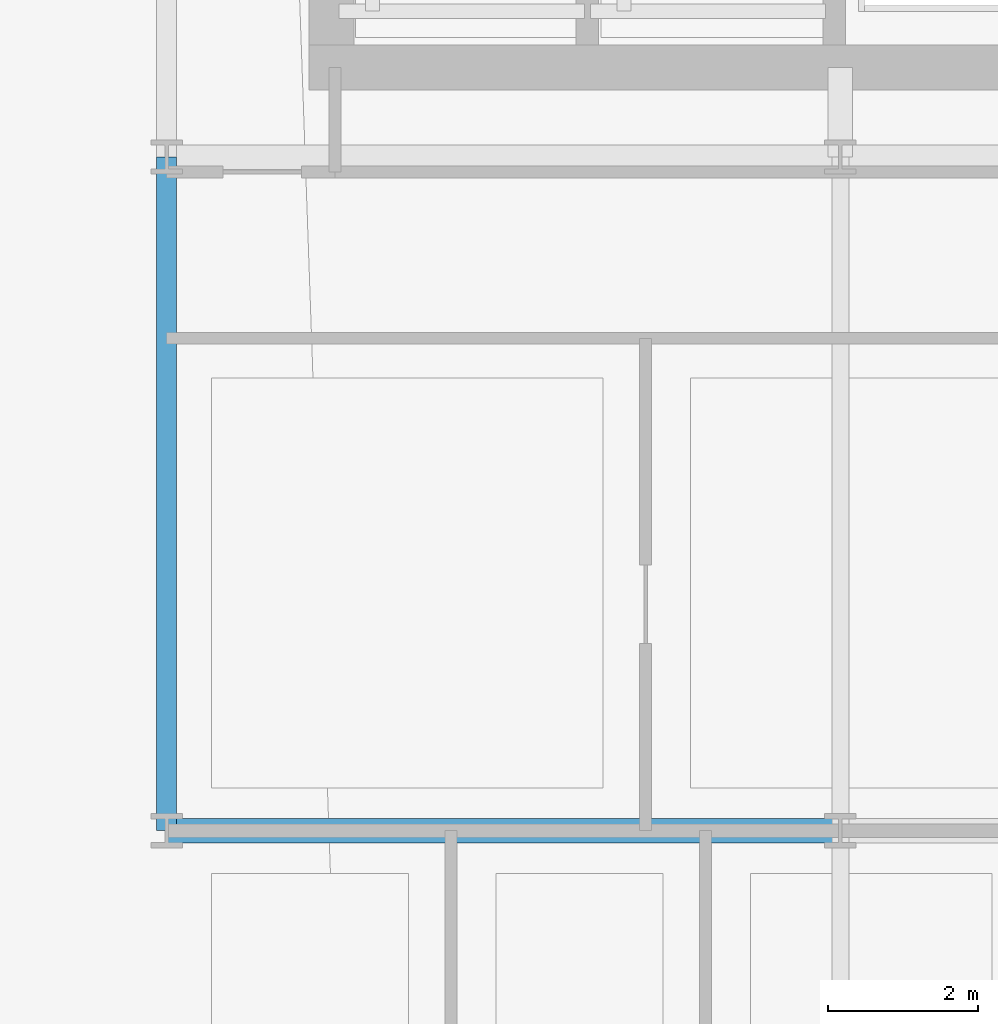
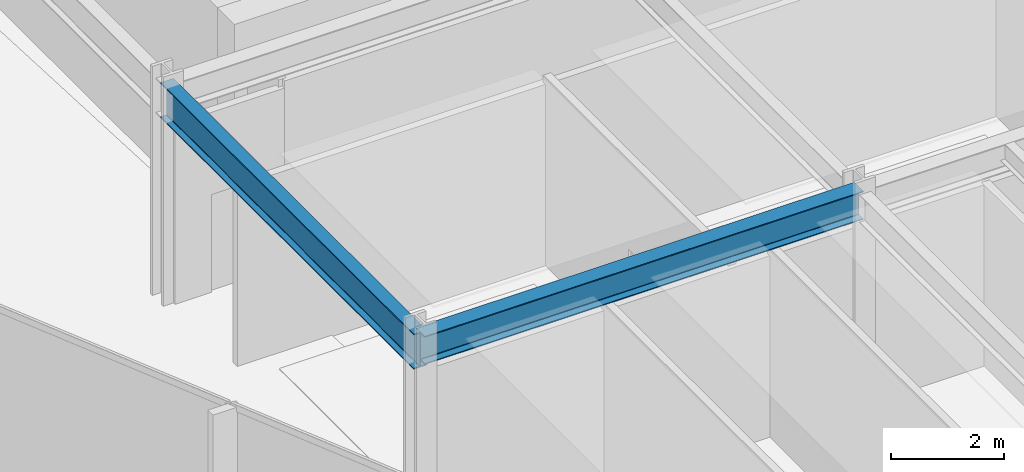
# One storey, part 6 of 33: 2 beams.
"""IFC4 building model written with IfcOpenShell, lengths in metres."""

from ifc_helpers import new_model, si_unit, direction, frame, origin, origin_2d, place, context, subcontext, project, spatial, i_section, extrude, material, material_profile, profile_set, type_object, element, save


model = new_model("IFC4")

# Units and contexts
model_context = context("Model", 3, precision=1e-05, world=origin(), true_north=direction((0.0, 1.0)))
body_context = subcontext(model_context, "Body", "Model", "MODEL_VIEW")
ifc_project = project(units=[si_unit("LENGTHUNIT", "METRE"), si_unit("AREAUNIT", "SQUARE_METRE"), si_unit("VOLUMEUNIT", "CUBIC_METRE"), si_unit("PLANEANGLEUNIT", "RADIAN"), si_unit("MASSUNIT", "GRAM", prefix="KILO")], contexts=[model_context])

# Site, building, storey
site_placement = place(None, origin())
site = spatial("IfcSite", under=ifc_project, at=site_placement, CompositionType="ELEMENT")
building_placement = place(site_placement, origin())
building = spatial("IfcBuilding", under=site, at=building_placement, Name="Solvaryn Broadcast Tower", CompositionType="ELEMENT")
storey_placement = place(building_placement, frame((0.0, 0.0, 105.0)))
storey = spatial("IfcBuildingStorey", under=building, at=storey_placement, Name="L25", CompositionType="ELEMENT", Elevation=105.0)

# Beams
ifc_material_1 = material(Name="Steel ASTM A992 Grade 50", Category="steel")
ifc_material_profile_1 = material_profile(ifc_material_1, i_section(OverallWidth=0.323974609375, OverallDepth=0.611083984375, WebThickness=0.0126953125, FlangeThickness=0.01904296875, FilletRadius=0.014892578125, at=origin_2d()))
ifc_profile_set_1 = profile_set([ifc_material_profile_1], Name="Steel ASTM A992 Grade 50")
beam_type_1 = type_object("IfcBeamType", Name="BM-B1-W24X104", PredefinedType="BEAM", material=ifc_profile_set_1)
beam_1_placement = place(storey_placement, frame((9.0, 18.0, 4.41455078125), z_axis=(1.0, 0.0, 0.0), x_axis=(0.0, 1.0, 0.0)))
element("IfcBeam", 1, at=beam_1_placement, inside=storey, type_object=beam_type_1, Name="L25 Primary Beam X (9-18 @ Y=18)", PredefinedType="BEAM", context=body_context, shape_type="SweptSolid", body=[
    extrude(i_section(OverallWidth=0.323974609375, OverallDepth=0.611083984375, WebThickness=0.0126953125, FlangeThickness=0.01904296875, FilletRadius=0.014892578125, at=origin_2d()), origin(), (0.0, 0.0, 1.0), 9.0),
])
ifc_material_2 = material(Name="Steel ASTM A992 Grade 50", Category="steel")
ifc_material_profile_2 = material_profile(ifc_material_2, i_section(OverallWidth=0.26708984375, OverallDepth=0.76611328125, WebThickness=0.014892578125, FlangeThickness=0.023681640625, FilletRadius=0.01806640625, at=origin_2d()))
ifc_profile_set_2 = profile_set([ifc_material_profile_2], Name="Steel ASTM A992 Grade 50")
beam_type_2 = type_object("IfcBeamType", Name="BM-SP2-W30X124", PredefinedType="USERDEFINED", material=ifc_profile_set_2)
beam_2_placement = place(storey_placement, frame((9.0, 18.0, 4.3369140625), z_axis=(0.0, 1.0, 0.0), x_axis=(-1.0, 0.0, 0.0)))
element("IfcBeam", 2, at=beam_2_placement, inside=storey, type_object=beam_type_2, Name="L25 Spandrel Beam Y (18-27 @ X=9)", ObjectType="SPANDREL", PredefinedType="USERDEFINED", context=body_context, shape_type="SweptSolid", body=[
    extrude(i_section(OverallWidth=0.26708984375, OverallDepth=0.76611328125, WebThickness=0.014892578125, FlangeThickness=0.023681640625, FilletRadius=0.01806640625, at=origin_2d()), origin(), (0.0, 0.0, 1.0), 9.0),
])

save(model, "model.ifc")
